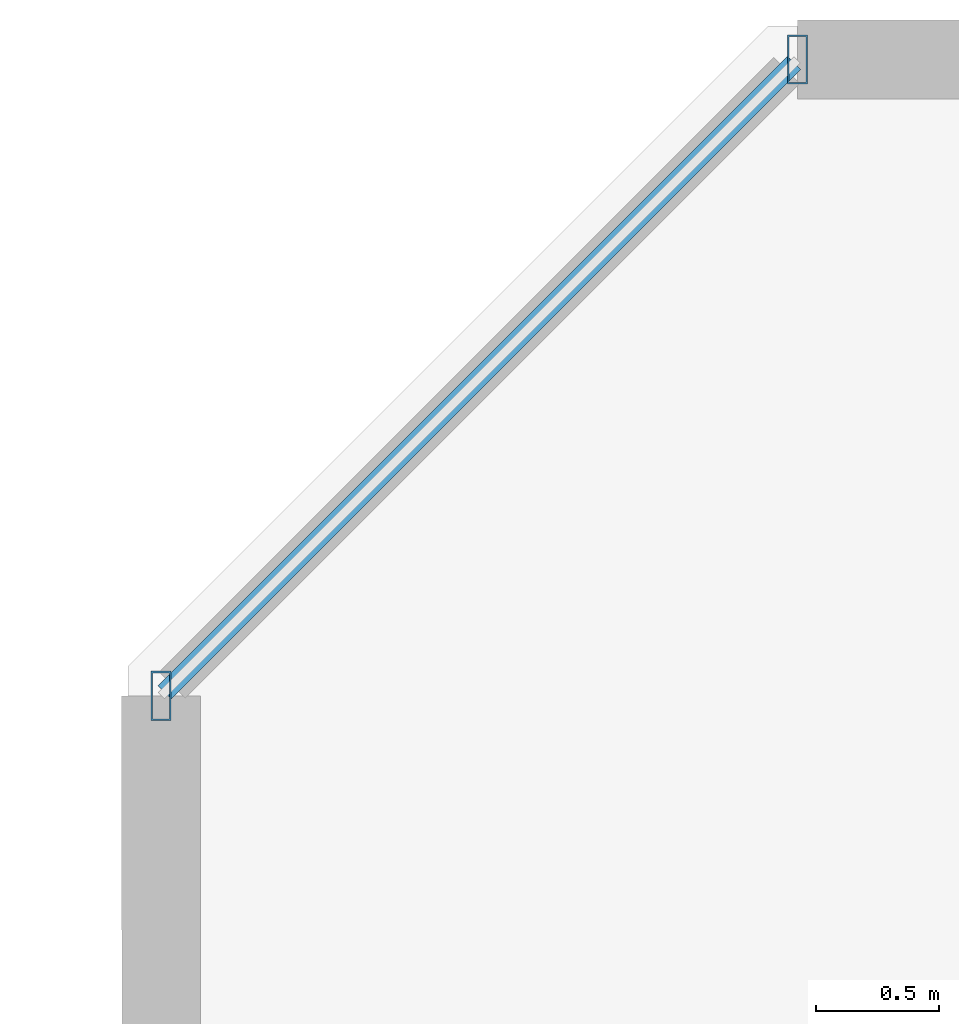
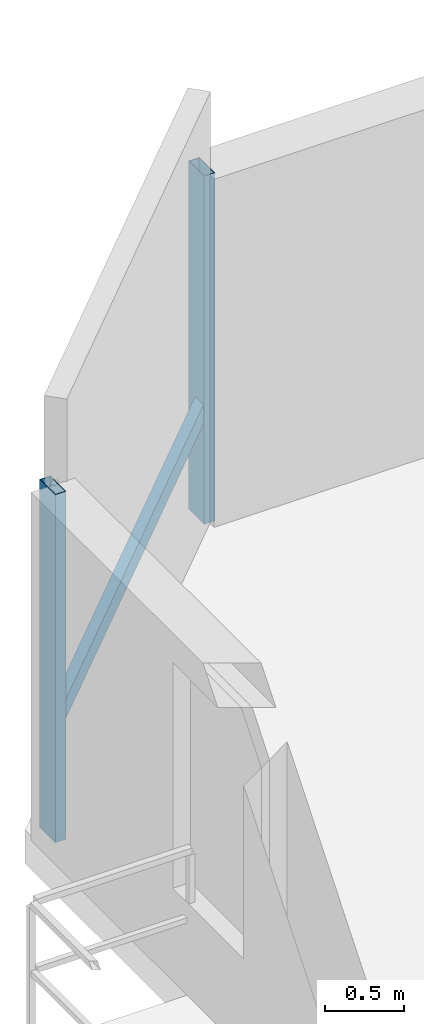
# One storey, part 7 of 32: 3 members, 1 element without a shape of its own.
"""IFC4 building model written with IfcOpenShell, lengths in metres."""

from ifc_helpers import new_model, si_unit, direction, frame, origin, origin_2d, place, context, subcontext, project, spatial, hollow_rectangle, extrude, material, material_profile, profile_set, type_object, element, aggregate, save


model = new_model("IFC4")

# Units and contexts
model_context = context("Model", 3, precision=1e-05, world=origin(), true_north=direction((0.0, 1.0)))
body_context = subcontext(model_context, "Body", "Model", "MODEL_VIEW")
ifc_project = project(units=[si_unit("LENGTHUNIT", "METRE"), si_unit("AREAUNIT", "SQUARE_METRE"), si_unit("VOLUMEUNIT", "CUBIC_METRE"), si_unit("PLANEANGLEUNIT", "RADIAN"), si_unit("MASSUNIT", "GRAM", prefix="KILO")], contexts=[model_context])

# Site, building, storey
site_placement = place(None, origin())
site = spatial("IfcSite", under=ifc_project, at=site_placement, CompositionType="ELEMENT")
building_placement = place(site_placement, origin())
building = spatial("IfcBuilding", under=site, at=building_placement, Name="Thornwick Lancets Civic Towers", CompositionType="ELEMENT")
storey_placement = place(building_placement, frame((0.0, 0.0, 123.300048828125)))
storey = spatial("IfcBuildingStorey", under=building, at=storey_placement, Name="L32", CompositionType="ELEMENT", Elevation=123.300048828125)

# Curtain wall, members
ifc_material_1 = material(Name="Mid-zone chamfered-corner unitised glass curtain wall", Category="glass")
curtain_wall_type = type_object("IfcCurtainWallType", Name="CW_SYS_04", PredefinedType="NOTDEFINED", material=ifc_material_1)
curtain_wall_placement = place(storey_placement, origin())
curtain_wall = element("IfcCurtainWall", 1, at=curtain_wall_placement, inside=storey, type_object=curtain_wall_type, Name="L32 Curtain Wall CW-L32-A-E5", PredefinedType="NOTDEFINED")
ifc_material_2 = material(Name="Thermally broken bronze aluminium S355", Category="steel")
ifc_material_profile_1 = material_profile(ifc_material_2, hollow_rectangle(XDim=0.080078125, YDim=0.199951171875, WallThickness=0.006103515625, at=origin_2d()), Name="RHS 200x80x6")
ifc_profile_set_1 = profile_set([ifc_material_profile_1], Name="Thermally broken bronze aluminium S355")
member_type_1 = type_object("IfcMemberType", Name="CW_MUL_200", PredefinedType="MULLION", material=ifc_profile_set_1)
member_1_placement = place(storey_placement, frame((4.318603515625, 44.7646484375, 0.0), z_axis=(0.0, 0.0, 1.0), x_axis=(1.0, 0.0, 0.0)))
member_1 = element("IfcMember", 2, at=member_1_placement, type_object=member_type_1, Name="CW-L32-A-E5 Mullion 0", PredefinedType="MULLION", context=body_context, shape_type="SweptSolid", body=[
    extrude(hollow_rectangle(XDim=0.080078125, YDim=0.199951171875, WallThickness=0.006103515625, at=origin_2d()), origin(), (0.0, 0.0, 1.0), 2.699951171875),
])
member_2_placement = place(storey_placement, frame((1.7353515625, 42.181396484375, 0.0), z_axis=(0.0, 0.0, 1.0), x_axis=(1.0, 0.0, 0.0)))
member_2 = element("IfcMember", 3, at=member_2_placement, type_object=member_type_1, Name="CW-L32-A-E5 Mullion 1", PredefinedType="MULLION", context=body_context, shape_type="SweptSolid", body=[
    extrude(hollow_rectangle(XDim=0.080078125, YDim=0.199951171875, WallThickness=0.006103515625, at=origin_2d()), origin(), (0.0, 0.0, 1.0), 2.699951171875),
])
ifc_material_profile_2 = material_profile(ifc_material_2, hollow_rectangle(XDim=0.074951171875, YDim=0.14990234375, WallThickness=0.0048828125, at=origin_2d()), Name="RHS 150x75x5")
ifc_profile_set_2 = profile_set([ifc_material_profile_2], Name="Thermally broken bronze aluminium S355")
member_type_2 = type_object("IfcMemberType", Name="CW_TRN_150", PredefinedType="USERDEFINED", material=ifc_profile_set_2)
member_3_placement = place(storey_placement, frame((4.304443359375, 44.75048828125, 0.849853515625), z_axis=(-0.707106781187, -0.707106781187, 0.0), x_axis=(0.707106781187, -0.707106781187, 0.0)))
member_3 = element("IfcMember", 4, at=member_3_placement, type_object=member_type_2, Name="CW-L32-A-E5 Transom 0", ObjectType="TRANSOM", PredefinedType="USERDEFINED", context=body_context, shape_type="SweptSolid", body=[
    extrude(hollow_rectangle(XDim=0.074951171875, YDim=0.14990234375, WallThickness=0.0048828125, at=origin_2d()), origin(), (0.0, 0.0, 1.0), 3.61328125),
])
aggregate(curtain_wall, [member_1, member_2, member_3])

save(model, "model.ifc")
